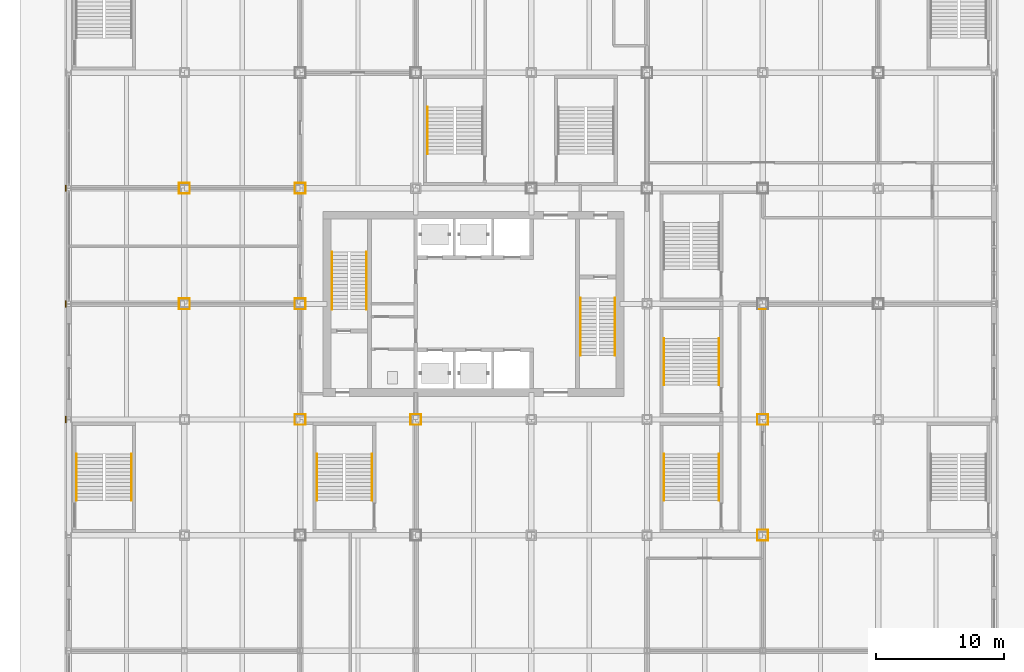
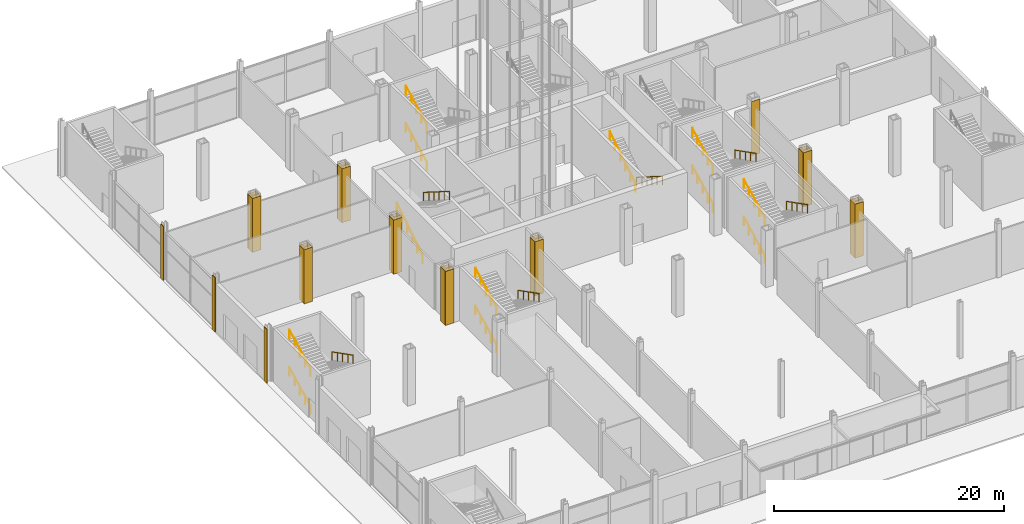
# One storey, part 29 of 34: 36 coverings, 18 railings.
"""IFC4 building model written with IfcOpenShell, lengths in metres."""

import ifcopenshell
import ifcopenshell.guid

model = None  # the IFC model being written
_history = None  # IfcOwnerHistory: only IFC2X3 demands one
_inside = {}  # id of a spatial element -> (the spatial element, [elements in it])
_under = {}  # id of a project, library or spatial element -> (it, [spatial elements below it])
_declared = {}  # id of a project -> (the project, [libraries it declares])
_typed = {}  # id of a type object -> (the type object, [elements of that type])
_made_of = {}  # id of a material, layer set ... -> (it, [elements and type objects made of it])


def new_model(schema):
    """Start an empty IFC model of exactly this schema.

    Asked for "IFC4X3", IfcOpenShell would pick the latest addendum, in which some entities
    have other attributes; the version numbers below select the first issue.
    IFC2X3 requires an IfcOwnerHistory on every rooted entity: one is made here for all.
    """
    global model, _history
    if schema == "IFC4X3":
        model = ifcopenshell.file(schema_version=(4, 3, 0, 0))
    else:
        model = ifcopenshell.file(schema=schema)
    _inside.clear()
    _under.clear()
    _declared.clear()
    _typed.clear()
    _made_of.clear()
    _history = None
    if model.schema == "IFC2X3":
        org = make("IfcOrganization", Name="unknown")
        user = make(
            "IfcPersonAndOrganization",
            ThePerson=make("IfcPerson", FamilyName="unknown"),
            TheOrganization=org,
        )
        app = make(
            "IfcApplication",
            ApplicationDeveloper=org,
            Version="unknown",
            ApplicationFullName="unknown",
            ApplicationIdentifier="unknown",
        )
        _history = make(
            "IfcOwnerHistory",
            OwningUser=user,
            OwningApplication=app,
            ChangeAction="ADDED",
            CreationDate=0,
        )
    return model


def make(cls, **values):
    """One entity of the class cls with the attributes given. An attribute that is None is left unset."""
    return model.create_entity(
        cls, **{name: value for name, value in values.items() if value is not None}
    )


def rooted(cls, **values):
    """An entity with a GlobalId (a new one), such as an element, a storey or a relation."""
    return make(cls, GlobalId=ifcopenshell.guid.new(), OwnerHistory=_history, **values)


def si_unit(unit_type, name, prefix=None):
    """IfcSIUnit, for example si_unit("LENGTHUNIT", "METRE", prefix="MILLI")."""
    return make("IfcSIUnit", UnitType=unit_type, Prefix=prefix, Name=name)


def assignment(units):
    """IfcUnitAssignment: the units of a project."""
    return None if units is None else make("IfcUnitAssignment", Units=units)


def point(xyz):
    """IfcCartesianPoint."""
    return None if xyz is None else make("IfcCartesianPoint", Coordinates=xyz)


def direction(xyz):
    """IfcDirection."""
    return None if xyz is None else make("IfcDirection", DirectionRatios=xyz)


def frame(location, z_axis=None, x_axis=None):
    """IfcAxis2Placement3D, a coordinate frame: its origin and axes. An axis left out is left unset."""
    return make(
        "IfcAxis2Placement3D",
        Location=point(location),
        Axis=direction(z_axis),
        RefDirection=direction(x_axis),
    )


def frame_2d(location, x_axis=None):
    """IfcAxis2Placement2D, a coordinate frame in the plane: its origin and x axis."""
    return make(
        "IfcAxis2Placement2D", Location=point(location), RefDirection=direction(x_axis)
    )


def origin():
    """The frame at (0, 0, 0) with its axes left unset."""
    return frame((0.0, 0.0, 0.0))


def origin_2d():
    """The frame at (0, 0) in the plane with its x axis left unset."""
    return frame_2d((0.0, 0.0))


def place(relative_to, where):
    """IfcLocalPlacement: puts the frame where relative to a parent placement (None: the world)."""
    return make(
        "IfcLocalPlacement", PlacementRelTo=relative_to, RelativePlacement=where
    )


def context(
    kind, dimensions, precision=None, world=None, true_north=None, identifier=None
):
    """IfcGeometricRepresentationContext, for example the 3D "Model" context."""
    return make(
        "IfcGeometricRepresentationContext",
        ContextIdentifier=identifier,
        ContextType=kind,
        CoordinateSpaceDimension=dimensions,
        Precision=precision,
        WorldCoordinateSystem=world,
        TrueNorth=true_north,
    )


def subcontext(parent, identifier, kind, view, scale=None):
    """IfcGeometricRepresentationSubContext, for example "Body" below "Model"."""
    return make(
        "IfcGeometricRepresentationSubContext",
        ContextIdentifier=identifier,
        ContextType=kind,
        ParentContext=parent,
        TargetScale=scale,
        TargetView=view,
    )


def project(units=None, contexts=None):
    """IfcProject with its units and contexts."""
    return rooted(
        "IfcProject",
        Name="project",
        RepresentationContexts=contexts,
        UnitsInContext=assignment(units),
    )


def spatial(cls, under=None, at=None, **own):
    """A site, building, storey or space (cls), placed at a placement, below another one or the project."""
    s = rooted(cls, ObjectPlacement=at, **own)
    if under is not None:
        _under.setdefault(under.id(), (under, []))[1].append(s)
    return s


def profile(cls, at=None, kind="AREA", **sizes):
    """A parametric profile (cls). Its sizes go by their IFC names, for example OverallWidth=200.0."""
    return make(cls, ProfileType=kind, Position=at, **sizes)


def rectangle(**sizes):
    """IfcRectangleProfileDef."""
    return profile("IfcRectangleProfileDef", **sizes)


def circle(**sizes):
    """IfcCircleProfileDef."""
    return profile("IfcCircleProfileDef", **sizes)


def extrude(swept, where, along, depth):
    """IfcExtrudedAreaSolid: the profile swept, set in the frame where, extruded along a direction by depth."""
    return make(
        "IfcExtrudedAreaSolid",
        SweptArea=swept,
        Position=where,
        ExtrudedDirection=direction(along),
        Depth=depth,
    )


def shape(context_of_items, identifier, shape_type, items):
    """IfcShapeRepresentation: the items that make up one representation, for example the "Body"."""
    return make(
        "IfcShapeRepresentation",
        ContextOfItems=context_of_items,
        RepresentationIdentifier=identifier,
        RepresentationType=shape_type,
        Items=items,
    )


def material(Name=None, Category=None):
    """IfcMaterial."""
    return make("IfcMaterial", Name=Name, Category=Category)


def layer(
    of_material, thickness, ventilated=None, Name=None, Category=None, Priority=None
):
    """IfcMaterialLayer: one layer of a wall or slab, of a material (None: an air gap)."""
    return make(
        "IfcMaterialLayer",
        Material=of_material,
        LayerThickness=thickness,
        IsVentilated=ventilated,
        Name=Name,
        Category=Category,
        Priority=Priority,
    )


def layer_set(layers, Name=None):
    """IfcMaterialLayerSet."""
    return make("IfcMaterialLayerSet", MaterialLayers=layers, LayerSetName=Name)


def made_of(thing, what):
    """Note that an element or type object is made of a material, layer set ...; save() writes the relation."""
    if what is not None:
        _made_of.setdefault(what.id(), (what, []))[1].append(thing)
    return thing


def type_object(cls, material=None, **own):
    """A type object (cls), such as IfcWallType, which elements share."""
    return made_of(rooted(cls, **own), material)


def element(
    cls,
    number,
    at=None,
    inside=None,
    cuts=None,
    type_object=None,
    material=None,
    context=None,
    identifier="Body",
    shape_type=None,
    held_by="IfcProductDefinitionShape",
    body=None,
    shapes=None,
    **own,
):
    """One element of the class cls, such as IfcWall. Its Tag is "e" and its number.

    at: its placement. inside: the storey or other place that contains it. cuts: it is an
    opening in that element (IfcRelVoidsElement). A single representation is given by context,
    identifier, shape_type and body (its items); several are given by shapes. held_by: the class
    of the entity that holds the representations. save() writes the other relations.
    """
    e = rooted(cls, Tag="e%d" % number, ObjectPlacement=at, **own)
    if body is not None:
        shapes = [shape(context, identifier, shape_type, body)]
    if shapes is not None:
        e.Representation = make(held_by, Representations=shapes)
    if inside is not None:
        _inside.setdefault(inside.id(), (inside, []))[1].append(e)
    if cuts is not None:
        rooted(
            "IfcRelVoidsElement", RelatingBuildingElement=cuts, RelatedOpeningElement=e
        )
    if type_object is not None:
        _typed.setdefault(type_object.id(), (type_object, []))[1].append(e)
    return made_of(e, material)


def aggregate(whole, parts):
    """IfcRelAggregates: a whole, such as a stair, and the parts it consists of."""
    return rooted("IfcRelAggregates", RelatingObject=whole, RelatedObjects=parts)


def save(model, path):
    """Write the relations noted so far, then the file.

    IfcRelAggregates (storeys below a building ...), IfcRelContainedInSpatialStructure (elements
    in a storey), IfcRelDefinesByType, IfcRelAssociatesMaterial and IfcRelDeclares: one each for
    every whole, place, type object, material and project.
    """
    for whole, parts in _under.values():
        aggregate(whole, parts)
    for where, things in _inside.values():
        rooted(
            "IfcRelContainedInSpatialStructure",
            RelatedElements=things,
            RelatingStructure=where,
        )
    for kind, things in _typed.values():
        rooted("IfcRelDefinesByType", RelatedObjects=things, RelatingType=kind)
    for what, things in _made_of.values():
        rooted("IfcRelAssociatesMaterial", RelatedObjects=things, RelatingMaterial=what)
    for by, libraries in _declared.values():
        rooted("IfcRelDeclares", RelatingContext=by, RelatedDefinitions=libraries)
    model.write(path)


model = new_model("IFC4")

# Units and contexts
model_context = context("Model", 3, precision=1e-05, world=origin(), true_north=direction((0.0, 1.0)))
body_context = subcontext(model_context, "Body", "Model", "MODEL_VIEW")
ifc_project = project(units=[si_unit("LENGTHUNIT", "METRE"), si_unit("AREAUNIT", "SQUARE_METRE"), si_unit("VOLUMEUNIT", "CUBIC_METRE"), si_unit("PLANEANGLEUNIT", "RADIAN"), si_unit("MASSUNIT", "GRAM", prefix="KILO")], contexts=[model_context])

# Site, building, storey
site_placement = place(None, origin())
site = spatial("IfcSite", under=ifc_project, at=site_placement, CompositionType="ELEMENT")
building_placement = place(site_placement, origin())
building = spatial("IfcBuilding", under=site, at=building_placement, Name="Loomwork Tower", CompositionType="ELEMENT")
storey_placement = place(building_placement, origin())
storey = spatial("IfcBuildingStorey", under=building, at=storey_placement, Name="L00", CompositionType="ELEMENT", Elevation=0.0)

# Coverings
ifc_material_1 = material(Name="Two-hour fire-rated gypsum board casing")
ifc_layer_1 = layer(ifc_material_1, 0.02490234375)
ifc_layer_set_1 = layer_set([ifc_layer_1], Name="Column fire casing 25")
covering_type_1 = type_object("IfcCoveringType", Name="Column fire casing 25", PredefinedType="CLADDING", material=ifc_layer_set_1)
for number, where, z_axis, x_axis, name in (
    (1, (0.0, 18.41259765625, 0.0), (0.0, 0.0, 1.0), (1.0, 0.0, 0.0), "Column casing 0 18 L00"),
    (2, (0.0, 17.58740234375, 0.0), (0.0, 0.0, 1.0), (1.0, 0.0, 0.0), "Column casing 0 18 L00"),
):
    element("IfcCovering", number, at=place(storey_placement, frame(where, z_axis=z_axis, x_axis=x_axis)), inside=storey, type_object=covering_type_1, Name=name, PredefinedType="CLADDING", context=body_context, shape_type="SweptSolid", body=[
        extrude(rectangle(XDim=0.85009765625, YDim=0.02490234375, at=origin_2d()), origin(), (0.0, 0.0, 1.0), 5.75),
    ])
for number, where, z_axis, x_axis, name in (
    (3, (0.41259765625, 18.0, 0.0), (0.0, 0.0, 1.0), (1.0, 0.0, 0.0), "Column casing 0 18 L00"),
    (4, (-0.41259765625, 18.0, 0.0), (0.0, 0.0, 1.0), (1.0, 0.0, 0.0), "Column casing 0 18 L00"),
):
    element("IfcCovering", number, at=place(storey_placement, frame(where, z_axis=z_axis, x_axis=x_axis)), inside=storey, type_object=covering_type_1, Name=name, PredefinedType="CLADDING", context=body_context, shape_type="SweptSolid", body=[
        extrude(rectangle(XDim=0.02490234375, YDim=0.800048828125, at=origin_2d()), origin(), (0.0, 0.0, 1.0), 5.75),
    ])
for number, where, z_axis, x_axis, name in (
    (5, (0.0, 27.41259765625, 0.0), (0.0, 0.0, 1.0), (1.0, 0.0, 0.0), "Column casing 0 27 L00"),
    (6, (0.0, 26.58740234375, 0.0), (0.0, 0.0, 1.0), (1.0, 0.0, 0.0), "Column casing 0 27 L00"),
):
    element("IfcCovering", number, at=place(storey_placement, frame(where, z_axis=z_axis, x_axis=x_axis)), inside=storey, type_object=covering_type_1, Name=name, PredefinedType="CLADDING", context=body_context, shape_type="SweptSolid", body=[
        extrude(rectangle(XDim=0.85009765625, YDim=0.02490234375, at=origin_2d()), origin(), (0.0, 0.0, 1.0), 5.75),
    ])
for number, where, z_axis, x_axis, name in (
    (7, (0.41259765625, 27.0, 0.0), (0.0, 0.0, 1.0), (1.0, 0.0, 0.0), "Column casing 0 27 L00"),
    (8, (-0.41259765625, 27.0, 0.0), (0.0, 0.0, 1.0), (1.0, 0.0, 0.0), "Column casing 0 27 L00"),
):
    element("IfcCovering", number, at=place(storey_placement, frame(where, z_axis=z_axis, x_axis=x_axis)), inside=storey, type_object=covering_type_1, Name=name, PredefinedType="CLADDING", context=body_context, shape_type="SweptSolid", body=[
        extrude(rectangle(XDim=0.02490234375, YDim=0.800048828125, at=origin_2d()), origin(), (0.0, 0.0, 1.0), 5.75),
    ])
for number, where, z_axis, x_axis, name in (
    (9, (9.0, 9.41259765625, 0.0), (0.0, 0.0, 1.0), (1.0, 0.0, 0.0), "Column casing 9 9 L00"),
    (10, (9.0, 8.58740234375, 0.0), (0.0, 0.0, 1.0), (1.0, 0.0, 0.0), "Column casing 9 9 L00"),
):
    element("IfcCovering", number, at=place(storey_placement, frame(where, z_axis=z_axis, x_axis=x_axis)), inside=storey, type_object=covering_type_1, Name=name, PredefinedType="CLADDING", context=body_context, shape_type="SweptSolid", body=[
        extrude(rectangle(XDim=0.85009765625, YDim=0.02490234375, at=origin_2d()), origin(), (0.0, 0.0, 1.0), 5.75),
    ])
for number, where, z_axis, x_axis, name in (
    (11, (9.41259765625, 9.0, 0.0), (0.0, 0.0, 1.0), (1.0, 0.0, 0.0), "Column casing 9 9 L00"),
    (12, (8.58740234375, 9.0, 0.0), (0.0, 0.0, 1.0), (1.0, 0.0, 0.0), "Column casing 9 9 L00"),
):
    element("IfcCovering", number, at=place(storey_placement, frame(where, z_axis=z_axis, x_axis=x_axis)), inside=storey, type_object=covering_type_1, Name=name, PredefinedType="CLADDING", context=body_context, shape_type="SweptSolid", body=[
        extrude(rectangle(XDim=0.02490234375, YDim=0.800048828125, at=origin_2d()), origin(), (0.0, 0.0, 1.0), 5.75),
    ])
for number, where, z_axis, x_axis, name in (
    (13, (9.0, 18.41259765625, 0.0), (0.0, 0.0, 1.0), (1.0, 0.0, 0.0), "Column casing 9 18 L00"),
    (14, (9.0, 17.58740234375, 0.0), (0.0, 0.0, 1.0), (1.0, 0.0, 0.0), "Column casing 9 18 L00"),
):
    element("IfcCovering", number, at=place(storey_placement, frame(where, z_axis=z_axis, x_axis=x_axis)), inside=storey, type_object=covering_type_1, Name=name, PredefinedType="CLADDING", context=body_context, shape_type="SweptSolid", body=[
        extrude(rectangle(XDim=0.85009765625, YDim=0.02490234375, at=origin_2d()), origin(), (0.0, 0.0, 1.0), 5.75),
    ])
for number, where, z_axis, x_axis, name in (
    (15, (9.41259765625, 18.0, 0.0), (0.0, 0.0, 1.0), (1.0, 0.0, 0.0), "Column casing 9 18 L00"),
    (16, (8.58740234375, 18.0, 0.0), (0.0, 0.0, 1.0), (1.0, 0.0, 0.0), "Column casing 9 18 L00"),
):
    element("IfcCovering", number, at=place(storey_placement, frame(where, z_axis=z_axis, x_axis=x_axis)), inside=storey, type_object=covering_type_1, Name=name, PredefinedType="CLADDING", context=body_context, shape_type="SweptSolid", body=[
        extrude(rectangle(XDim=0.02490234375, YDim=0.800048828125, at=origin_2d()), origin(), (0.0, 0.0, 1.0), 5.75),
    ])
for number, where, z_axis, x_axis, name in (
    (17, (9.0, 27.41259765625, 0.0), (0.0, 0.0, 1.0), (1.0, 0.0, 0.0), "Column casing 9 27 L00"),
    (18, (9.0, 26.58740234375, 0.0), (0.0, 0.0, 1.0), (1.0, 0.0, 0.0), "Column casing 9 27 L00"),
):
    element("IfcCovering", number, at=place(storey_placement, frame(where, z_axis=z_axis, x_axis=x_axis)), inside=storey, type_object=covering_type_1, Name=name, PredefinedType="CLADDING", context=body_context, shape_type="SweptSolid", body=[
        extrude(rectangle(XDim=0.85009765625, YDim=0.02490234375, at=origin_2d()), origin(), (0.0, 0.0, 1.0), 5.75),
    ])
for number, where, z_axis, x_axis, name in (
    (19, (9.41259765625, 27.0, 0.0), (0.0, 0.0, 1.0), (1.0, 0.0, 0.0), "Column casing 9 27 L00"),
    (20, (8.58740234375, 27.0, 0.0), (0.0, 0.0, 1.0), (1.0, 0.0, 0.0), "Column casing 9 27 L00"),
):
    element("IfcCovering", number, at=place(storey_placement, frame(where, z_axis=z_axis, x_axis=x_axis)), inside=storey, type_object=covering_type_1, Name=name, PredefinedType="CLADDING", context=body_context, shape_type="SweptSolid", body=[
        extrude(rectangle(XDim=0.02490234375, YDim=0.800048828125, at=origin_2d()), origin(), (0.0, 0.0, 1.0), 5.75),
    ])
for number, where, z_axis, x_axis, name in (
    (21, (18.0, 9.41259765625, 0.0), (0.0, 0.0, 1.0), (1.0, 0.0, 0.0), "Column casing 18 9 L00"),
    (22, (18.0, 8.58740234375, 0.0), (0.0, 0.0, 1.0), (1.0, 0.0, 0.0), "Column casing 18 9 L00"),
):
    element("IfcCovering", number, at=place(storey_placement, frame(where, z_axis=z_axis, x_axis=x_axis)), inside=storey, type_object=covering_type_1, Name=name, PredefinedType="CLADDING", context=body_context, shape_type="SweptSolid", body=[
        extrude(rectangle(XDim=0.85009765625, YDim=0.02490234375, at=origin_2d()), origin(), (0.0, 0.0, 1.0), 5.75),
    ])
for number, where, z_axis, x_axis, name in (
    (23, (18.41259765625, 9.0, 0.0), (0.0, 0.0, 1.0), (1.0, 0.0, 0.0), "Column casing 18 9 L00"),
    (24, (17.58740234375, 9.0, 0.0), (0.0, 0.0, 1.0), (1.0, 0.0, 0.0), "Column casing 18 9 L00"),
):
    element("IfcCovering", number, at=place(storey_placement, frame(where, z_axis=z_axis, x_axis=x_axis)), inside=storey, type_object=covering_type_1, Name=name, PredefinedType="CLADDING", context=body_context, shape_type="SweptSolid", body=[
        extrude(rectangle(XDim=0.02490234375, YDim=0.800048828125, at=origin_2d()), origin(), (0.0, 0.0, 1.0), 5.75),
    ])
for number, where, z_axis, x_axis, name in (
    (25, (45.0, 0.41259765625, 0.0), (0.0, 0.0, 1.0), (1.0, 0.0, 0.0), "Column casing 45 0 L00"),
    (26, (45.0, -0.41259765625, 0.0), (0.0, 0.0, 1.0), (1.0, 0.0, 0.0), "Column casing 45 0 L00"),
):
    element("IfcCovering", number, at=place(storey_placement, frame(where, z_axis=z_axis, x_axis=x_axis)), inside=storey, type_object=covering_type_1, Name=name, PredefinedType="CLADDING", context=body_context, shape_type="SweptSolid", body=[
        extrude(rectangle(XDim=0.85009765625, YDim=0.02490234375, at=origin_2d()), origin(), (0.0, 0.0, 1.0), 5.75),
    ])
for number, where, z_axis, x_axis, name in (
    (27, (45.41259765625, 0.0, 0.0), (0.0, 0.0, 1.0), (1.0, 0.0, 0.0), "Column casing 45 0 L00"),
    (28, (44.58740234375, 0.0, 0.0), (0.0, 0.0, 1.0), (1.0, 0.0, 0.0), "Column casing 45 0 L00"),
):
    element("IfcCovering", number, at=place(storey_placement, frame(where, z_axis=z_axis, x_axis=x_axis)), inside=storey, type_object=covering_type_1, Name=name, PredefinedType="CLADDING", context=body_context, shape_type="SweptSolid", body=[
        extrude(rectangle(XDim=0.02490234375, YDim=0.800048828125, at=origin_2d()), origin(), (0.0, 0.0, 1.0), 5.75),
    ])
for number, where, z_axis, x_axis, name in (
    (29, (45.0, 9.41259765625, 0.0), (0.0, 0.0, 1.0), (1.0, 0.0, 0.0), "Column casing 45 9 L00"),
    (30, (45.0, 8.58740234375, 0.0), (0.0, 0.0, 1.0), (1.0, 0.0, 0.0), "Column casing 45 9 L00"),
):
    element("IfcCovering", number, at=place(storey_placement, frame(where, z_axis=z_axis, x_axis=x_axis)), inside=storey, type_object=covering_type_1, Name=name, PredefinedType="CLADDING", context=body_context, shape_type="SweptSolid", body=[
        extrude(rectangle(XDim=0.85009765625, YDim=0.02490234375, at=origin_2d()), origin(), (0.0, 0.0, 1.0), 5.75),
    ])
for number, where, z_axis, x_axis, name in (
    (31, (45.41259765625, 9.0, 0.0), (0.0, 0.0, 1.0), (1.0, 0.0, 0.0), "Column casing 45 9 L00"),
    (32, (44.58740234375, 9.0, 0.0), (0.0, 0.0, 1.0), (1.0, 0.0, 0.0), "Column casing 45 9 L00"),
):
    element("IfcCovering", number, at=place(storey_placement, frame(where, z_axis=z_axis, x_axis=x_axis)), inside=storey, type_object=covering_type_1, Name=name, PredefinedType="CLADDING", context=body_context, shape_type="SweptSolid", body=[
        extrude(rectangle(XDim=0.02490234375, YDim=0.800048828125, at=origin_2d()), origin(), (0.0, 0.0, 1.0), 5.75),
    ])
covering_placement = place(storey_placement, frame((45.0, 17.58740234375, 0.0), z_axis=(0.0, 0.0, 1.0), x_axis=(1.0, 0.0, 0.0)))
element("IfcCovering", 33, at=covering_placement, inside=storey, type_object=covering_type_1, Name="Column casing 45 18 L00", PredefinedType="CLADDING", context=body_context, shape_type="SweptSolid", body=[
    extrude(rectangle(XDim=0.85009765625, YDim=0.02490234375, at=origin_2d()), origin(), (0.0, 0.0, 1.0), 5.75),
])

# Railings
ifc_material_2 = material(Name="Stainless steel handrail", Category="steel")
railing_type = type_object("IfcRailingType", Name="Handrail 900", PredefinedType="HANDRAIL", material=ifc_material_2)
railing_1_placement = place(storey_placement, frame((11.485107421875, 17.550048828125, 0.176513671875)))
element("IfcRailing", 34, at=railing_1_placement, inside=storey, type_object=railing_type, Name="Stair A handrail flight 1 L00", PredefinedType="HANDRAIL", context=body_context, shape_type="SweptSolid", body=[
    extrude(circle(Radius=0.02392578125, at=origin_2d()), frame((0.0, 0.0, 0.8759765625), z_axis=(0.0, 0.845997938375, 0.533186166611), x_axis=(-1.0, 0.0, 0.0)), (0.0, 0.0, 1.0), 5.29541015625),
    extrude(circle(Radius=0.02099609375, at=origin_2d()), origin(), (0.0, 0.0, 1.0), 0.851806640625),
    extrude(circle(Radius=0.02099609375, at=origin_2d()), frame((0.0, 0.89599609375, 0.564697265625)), (0.0, 0.0, 1.0), 0.851806640625),
    extrude(circle(Radius=0.02099609375, at=origin_2d()), frame((0.0, 1.7919921875, 1.12939453125)), (0.0, 0.0, 1.0), 0.851806640625),
    extrude(circle(Radius=0.02099609375, at=origin_2d()), frame((0.0, 2.68798828125, 1.694091796875)), (0.0, 0.0, 1.0), 0.851806640625),
    extrude(circle(Radius=0.02099609375, at=origin_2d()), frame((0.0, 3.583984375, 2.2587890625)), (0.0, 0.0, 1.0), 0.851806640625),
    extrude(circle(Radius=0.02099609375, at=origin_2d()), frame((0.0, 4.47998046875, 2.823486328125)), (0.0, 0.0, 1.0), 0.851806640625),
])
for number, where, name in (
    (35, (14.1650390625, 22.030029296875, 3.176513671875), "Stair A handrail flight 2 L00"),
    (36, (33.514892578125, 18.449951171875, 0.176513671875), "Stair B handrail flight 1 L00"),
):
    element("IfcRailing", number, at=place(storey_placement, frame(where)), inside=storey, type_object=railing_type, Name=name, PredefinedType="HANDRAIL", context=body_context, shape_type="SweptSolid", body=[
        extrude(circle(Radius=0.02392578125, at=origin_2d()), frame((0.0, 0.0, 0.8759765625), z_axis=(0.0, -0.845997938375, 0.533186166611), x_axis=(1.0, 0.0, 0.0)), (0.0, 0.0, 1.0), 5.29541015625),
        extrude(circle(Radius=0.02099609375, at=origin_2d()), origin(), (0.0, 0.0, 1.0), 0.851806640625),
        extrude(circle(Radius=0.02099609375, at=origin_2d()), frame((0.0, -0.89599609375, 0.564697265625)), (0.0, 0.0, 1.0), 0.851806640625),
        extrude(circle(Radius=0.02099609375, at=origin_2d()), frame((0.0, -1.7919921875, 1.12939453125)), (0.0, 0.0, 1.0), 0.851806640625),
        extrude(circle(Radius=0.02099609375, at=origin_2d()), frame((0.0, -2.68798828125, 1.694091796875)), (0.0, 0.0, 1.0), 0.851806640625),
        extrude(circle(Radius=0.02099609375, at=origin_2d()), frame((0.0, -3.583984375, 2.2587890625)), (0.0, 0.0, 1.0), 0.851806640625),
        extrude(circle(Radius=0.02099609375, at=origin_2d()), frame((0.0, -4.47998046875, 2.823486328125)), (0.0, 0.0, 1.0), 0.851806640625),
    ])
railing_2_placement = place(storey_placement, frame((30.8349609375, 13.969970703125, 3.176513671875)))
element("IfcRailing", 37, at=railing_2_placement, inside=storey, type_object=railing_type, Name="Stair B handrail flight 2 L00", PredefinedType="HANDRAIL", context=body_context, shape_type="SweptSolid", body=[
    extrude(circle(Radius=0.02392578125, at=origin_2d()), frame((0.0, 0.0, 0.8759765625), z_axis=(0.0, 0.845997938375, 0.533186166611), x_axis=(-1.0, 0.0, 0.0)), (0.0, 0.0, 1.0), 5.29541015625),
    extrude(circle(Radius=0.02099609375, at=origin_2d()), origin(), (0.0, 0.0, 1.0), 0.851806640625),
    extrude(circle(Radius=0.02099609375, at=origin_2d()), frame((0.0, 0.89599609375, 0.564697265625)), (0.0, 0.0, 1.0), 0.851806640625),
    extrude(circle(Radius=0.02099609375, at=origin_2d()), frame((0.0, 1.7919921875, 1.12939453125)), (0.0, 0.0, 1.0), 0.851806640625),
    extrude(circle(Radius=0.02099609375, at=origin_2d()), frame((0.0, 2.68798828125, 1.694091796875)), (0.0, 0.0, 1.0), 0.851806640625),
    extrude(circle(Radius=0.02099609375, at=origin_2d()), frame((0.0, 3.583984375, 2.2587890625)), (0.0, 0.0, 1.0), 0.851806640625),
    extrude(circle(Radius=0.02099609375, at=origin_2d()), frame((0.0, 4.47998046875, 2.823486328125)), (0.0, 0.0, 1.0), 0.851806640625),
])
railing_3_placement = place(storey_placement, frame((-8.389892578125, 2.679931640625, 0.142822265625)))
element("IfcRailing", 38, at=railing_3_placement, inside=storey, type_object=railing_type, Name="Podium stair PS5 handrail flight 1 L00", PredefinedType="HANDRAIL", context=body_context, shape_type="SweptSolid", body=[
    extrude(circle(Radius=0.02392578125, at=origin_2d()), frame((0.0, 0.0, 0.8759765625), z_axis=(0.0, 0.890765324736, 0.45446356977), x_axis=(-1.0, 0.0, 0.0)), (0.0, 0.0, 1.0), 4.08642578125),
    extrude(circle(Radius=0.02099609375, at=origin_2d()), origin(), (0.0, 0.0, 1.0), 0.851806640625),
    extrude(circle(Radius=0.02099609375, at=origin_2d()), frame((0.0, 0.91015625, 0.46435546875)), (0.0, 0.0, 1.0), 0.851806640625),
    extrude(circle(Radius=0.02099609375, at=origin_2d()), frame((0.0, 1.820068359375, 0.9287109375)), (0.0, 0.0, 1.0), 0.851806640625),
    extrude(circle(Radius=0.02099609375, at=origin_2d()), frame((0.0, 2.72998046875, 1.392822265625)), (0.0, 0.0, 1.0), 0.851806640625),
    extrude(circle(Radius=0.02099609375, at=origin_2d()), frame((0.0, 3.64013671875, 1.857177734375)), (0.0, 0.0, 1.0), 0.851806640625),
])
railing_4_placement = place(storey_placement, frame((-4.110107421875, 6.320068359375, 2.142822265625)))
element("IfcRailing", 39, at=railing_4_placement, inside=storey, type_object=railing_type, Name="Podium stair PS5 handrail flight 2 L00", PredefinedType="HANDRAIL", context=body_context, shape_type="SweptSolid", body=[
    extrude(circle(Radius=0.02392578125, at=origin_2d()), frame((0.0, 0.0, 0.8759765625), z_axis=(0.0, -0.890765324736, 0.45446356977), x_axis=(1.0, 0.0, 0.0)), (0.0, 0.0, 1.0), 4.08642578125),
    extrude(circle(Radius=0.02099609375, at=origin_2d()), origin(), (0.0, 0.0, 1.0), 0.851806640625),
    extrude(circle(Radius=0.02099609375, at=origin_2d()), frame((0.0, -0.91015625, 0.46435546875)), (0.0, 0.0, 1.0), 0.851806640625),
    extrude(circle(Radius=0.02099609375, at=origin_2d()), frame((0.0, -1.820068359375, 0.9287109375)), (0.0, 0.0, 1.0), 0.851806640625),
    extrude(circle(Radius=0.02099609375, at=origin_2d()), frame((0.0, -2.72998046875, 1.392822265625)), (0.0, 0.0, 1.0), 0.851806640625),
    extrude(circle(Radius=0.02099609375, at=origin_2d()), frame((0.0, -3.64013671875, 1.857177734375)), (0.0, 0.0, 1.0), 0.851806640625),
])
for number, where, name in (
    (40, (-8.389892578125, 2.679931640625, 4.142822265625), "Podium stair PS5 handrail flight 3 L00"),
    (41, (37.31005859375, 2.679931640625, 0.142822265625), "Podium stair PS7 handrail flight 1 L00"),
):
    element("IfcRailing", number, at=place(storey_placement, frame(where)), inside=storey, type_object=railing_type, Name=name, PredefinedType="HANDRAIL", context=body_context, shape_type="SweptSolid", body=[
        extrude(circle(Radius=0.02392578125, at=origin_2d()), frame((0.0, 0.0, 0.8759765625), z_axis=(0.0, 0.890765324736, 0.45446356977), x_axis=(-1.0, 0.0, 0.0)), (0.0, 0.0, 1.0), 4.08642578125),
        extrude(circle(Radius=0.02099609375, at=origin_2d()), origin(), (0.0, 0.0, 1.0), 0.851806640625),
        extrude(circle(Radius=0.02099609375, at=origin_2d()), frame((0.0, 0.91015625, 0.46435546875)), (0.0, 0.0, 1.0), 0.851806640625),
        extrude(circle(Radius=0.02099609375, at=origin_2d()), frame((0.0, 1.820068359375, 0.9287109375)), (0.0, 0.0, 1.0), 0.851806640625),
        extrude(circle(Radius=0.02099609375, at=origin_2d()), frame((0.0, 2.72998046875, 1.392822265625)), (0.0, 0.0, 1.0), 0.851806640625),
        extrude(circle(Radius=0.02099609375, at=origin_2d()), frame((0.0, 3.64013671875, 1.857177734375)), (0.0, 0.0, 1.0), 0.851806640625),
    ])
railing_5_placement = place(storey_placement, frame((41.590087890625, 6.320068359375, 2.142822265625)))
element("IfcRailing", 42, at=railing_5_placement, inside=storey, type_object=railing_type, Name="Podium stair PS7 handrail flight 2 L00", PredefinedType="HANDRAIL", context=body_context, shape_type="SweptSolid", body=[
    extrude(circle(Radius=0.02392578125, at=origin_2d()), frame((0.0, 0.0, 0.8759765625), z_axis=(0.0, -0.890765324736, 0.45446356977), x_axis=(1.0, 0.0, 0.0)), (0.0, 0.0, 1.0), 4.08642578125),
    extrude(circle(Radius=0.02099609375, at=origin_2d()), origin(), (0.0, 0.0, 1.0), 0.851806640625),
    extrude(circle(Radius=0.02099609375, at=origin_2d()), frame((0.0, -0.91015625, 0.46435546875)), (0.0, 0.0, 1.0), 0.851806640625),
    extrude(circle(Radius=0.02099609375, at=origin_2d()), frame((0.0, -1.820068359375, 0.9287109375)), (0.0, 0.0, 1.0), 0.851806640625),
    extrude(circle(Radius=0.02099609375, at=origin_2d()), frame((0.0, -2.72998046875, 1.392822265625)), (0.0, 0.0, 1.0), 0.851806640625),
    extrude(circle(Radius=0.02099609375, at=origin_2d()), frame((0.0, -3.64013671875, 1.857177734375)), (0.0, 0.0, 1.0), 0.851806640625),
])
for number, where, name in (
    (43, (37.31005859375, 2.679931640625, 4.142822265625), "Podium stair PS7 handrail flight 3 L00"),
    (44, (37.31005859375, 11.679931640625, 0.142822265625), "Podium stair PS8 handrail flight 1 L00"),
):
    element("IfcRailing", number, at=place(storey_placement, frame(where)), inside=storey, type_object=railing_type, Name=name, PredefinedType="HANDRAIL", context=body_context, shape_type="SweptSolid", body=[
        extrude(circle(Radius=0.02392578125, at=origin_2d()), frame((0.0, 0.0, 0.8759765625), z_axis=(0.0, 0.890765324736, 0.45446356977), x_axis=(-1.0, 0.0, 0.0)), (0.0, 0.0, 1.0), 4.08642578125),
        extrude(circle(Radius=0.02099609375, at=origin_2d()), origin(), (0.0, 0.0, 1.0), 0.851806640625),
        extrude(circle(Radius=0.02099609375, at=origin_2d()), frame((0.0, 0.91015625, 0.46435546875)), (0.0, 0.0, 1.0), 0.851806640625),
        extrude(circle(Radius=0.02099609375, at=origin_2d()), frame((0.0, 1.820068359375, 0.9287109375)), (0.0, 0.0, 1.0), 0.851806640625),
        extrude(circle(Radius=0.02099609375, at=origin_2d()), frame((0.0, 2.72998046875, 1.392822265625)), (0.0, 0.0, 1.0), 0.851806640625),
        extrude(circle(Radius=0.02099609375, at=origin_2d()), frame((0.0, 3.64013671875, 1.857177734375)), (0.0, 0.0, 1.0), 0.851806640625),
    ])
railing_6_placement = place(storey_placement, frame((41.590087890625, 15.320068359375, 2.142822265625)))
element("IfcRailing", 45, at=railing_6_placement, inside=storey, type_object=railing_type, Name="Podium stair PS8 handrail flight 2 L00", PredefinedType="HANDRAIL", context=body_context, shape_type="SweptSolid", body=[
    extrude(circle(Radius=0.02392578125, at=origin_2d()), frame((0.0, 0.0, 0.8759765625), z_axis=(0.0, -0.890765324736, 0.45446356977), x_axis=(1.0, 0.0, 0.0)), (0.0, 0.0, 1.0), 4.08642578125),
    extrude(circle(Radius=0.02099609375, at=origin_2d()), origin(), (0.0, 0.0, 1.0), 0.851806640625),
    extrude(circle(Radius=0.02099609375, at=origin_2d()), frame((0.0, -0.91015625, 0.46435546875)), (0.0, 0.0, 1.0), 0.851806640625),
    extrude(circle(Radius=0.02099609375, at=origin_2d()), frame((0.0, -1.820068359375, 0.9287109375)), (0.0, 0.0, 1.0), 0.851806640625),
    extrude(circle(Radius=0.02099609375, at=origin_2d()), frame((0.0, -2.72998046875, 1.392822265625)), (0.0, 0.0, 1.0), 0.851806640625),
    extrude(circle(Radius=0.02099609375, at=origin_2d()), frame((0.0, -3.64013671875, 1.857177734375)), (0.0, 0.0, 1.0), 0.851806640625),
])
for number, where, name in (
    (46, (37.31005859375, 11.679931640625, 4.142822265625), "Podium stair PS8 handrail flight 3 L00"),
    (47, (18.909912109375, 29.679931640625, 0.142822265625), "Podium stair PS10 handrail flight 1 L00"),
    (48, (18.909912109375, 29.679931640625, 4.142822265625), "Podium stair PS10 handrail flight 3 L00"),
    (49, (10.31005859375, 2.679931640625, 0.142822265625), "Podium stair PS12 handrail flight 1 L00"),
):
    element("IfcRailing", number, at=place(storey_placement, frame(where)), inside=storey, type_object=railing_type, Name=name, PredefinedType="HANDRAIL", context=body_context, shape_type="SweptSolid", body=[
        extrude(circle(Radius=0.02392578125, at=origin_2d()), frame((0.0, 0.0, 0.8759765625), z_axis=(0.0, 0.890765324736, 0.45446356977), x_axis=(-1.0, 0.0, 0.0)), (0.0, 0.0, 1.0), 4.08642578125),
        extrude(circle(Radius=0.02099609375, at=origin_2d()), origin(), (0.0, 0.0, 1.0), 0.851806640625),
        extrude(circle(Radius=0.02099609375, at=origin_2d()), frame((0.0, 0.91015625, 0.46435546875)), (0.0, 0.0, 1.0), 0.851806640625),
        extrude(circle(Radius=0.02099609375, at=origin_2d()), frame((0.0, 1.820068359375, 0.9287109375)), (0.0, 0.0, 1.0), 0.851806640625),
        extrude(circle(Radius=0.02099609375, at=origin_2d()), frame((0.0, 2.72998046875, 1.392822265625)), (0.0, 0.0, 1.0), 0.851806640625),
        extrude(circle(Radius=0.02099609375, at=origin_2d()), frame((0.0, 3.64013671875, 1.857177734375)), (0.0, 0.0, 1.0), 0.851806640625),
    ])
railing_7_placement = place(storey_placement, frame((14.590087890625, 6.320068359375, 2.142822265625)))
element("IfcRailing", 50, at=railing_7_placement, inside=storey, type_object=railing_type, Name="Podium stair PS12 handrail flight 2 L00", PredefinedType="HANDRAIL", context=body_context, shape_type="SweptSolid", body=[
    extrude(circle(Radius=0.02392578125, at=origin_2d()), frame((0.0, 0.0, 0.8759765625), z_axis=(0.0, -0.890765324736, 0.45446356977), x_axis=(1.0, 0.0, 0.0)), (0.0, 0.0, 1.0), 4.08642578125),
    extrude(circle(Radius=0.02099609375, at=origin_2d()), origin(), (0.0, 0.0, 1.0), 0.851806640625),
    extrude(circle(Radius=0.02099609375, at=origin_2d()), frame((0.0, -0.91015625, 0.46435546875)), (0.0, 0.0, 1.0), 0.851806640625),
    extrude(circle(Radius=0.02099609375, at=origin_2d()), frame((0.0, -1.820068359375, 0.9287109375)), (0.0, 0.0, 1.0), 0.851806640625),
    extrude(circle(Radius=0.02099609375, at=origin_2d()), frame((0.0, -2.72998046875, 1.392822265625)), (0.0, 0.0, 1.0), 0.851806640625),
    extrude(circle(Radius=0.02099609375, at=origin_2d()), frame((0.0, -3.64013671875, 1.857177734375)), (0.0, 0.0, 1.0), 0.851806640625),
])
railing_8_placement = place(storey_placement, frame((10.31005859375, 2.679931640625, 4.142822265625)))
element("IfcRailing", 51, at=railing_8_placement, inside=storey, type_object=railing_type, Name="Podium stair PS12 handrail flight 3 L00", PredefinedType="HANDRAIL", context=body_context, shape_type="SweptSolid", body=[
    extrude(circle(Radius=0.02392578125, at=origin_2d()), frame((0.0, 0.0, 0.8759765625), z_axis=(0.0, 0.890765324736, 0.45446356977), x_axis=(-1.0, 0.0, 0.0)), (0.0, 0.0, 1.0), 4.08642578125),
    extrude(circle(Radius=0.02099609375, at=origin_2d()), origin(), (0.0, 0.0, 1.0), 0.851806640625),
    extrude(circle(Radius=0.02099609375, at=origin_2d()), frame((0.0, 0.91015625, 0.46435546875)), (0.0, 0.0, 1.0), 0.851806640625),
    extrude(circle(Radius=0.02099609375, at=origin_2d()), frame((0.0, 1.820068359375, 0.9287109375)), (0.0, 0.0, 1.0), 0.851806640625),
    extrude(circle(Radius=0.02099609375, at=origin_2d()), frame((0.0, 2.72998046875, 1.392822265625)), (0.0, 0.0, 1.0), 0.851806640625),
    extrude(circle(Radius=0.02099609375, at=origin_2d()), frame((0.0, 3.64013671875, 1.857177734375)), (0.0, 0.0, 1.0), 0.851806640625),
])

# Coverings
ifc_material_3 = material(Name="Limestone", Category="masonry")
ifc_layer_2 = layer(ifc_material_3, 0.080078125)
ifc_layer_set_2 = layer_set([ifc_layer_2], Name="Limestone pier facing 80")
covering_type_2 = type_object("IfcCoveringType", Name="Limestone pier facing 80", PredefinedType="CLADDING", material=ifc_layer_set_2)
for number, where, z_axis, x_axis, name in (
    (52, (-9.239501953125, 9.0, 0.0), (0.0, 0.0, 1.0), (1.0, 0.0, 0.0), "Pier facing E/1 L00"),
    (53, (-9.239501953125, 18.0, 0.0), (0.0, 0.0, 1.0), (1.0, 0.0, 0.0), "Pier facing F/1 L00"),
    (54, (-9.239501953125, 27.0, 0.0), (0.0, 0.0, 1.0), (1.0, 0.0, 0.0), "Pier facing G/1 L00"),
):
    element("IfcCovering", number, at=place(storey_placement, frame(where, z_axis=z_axis, x_axis=x_axis)), inside=storey, type_object=covering_type_2, Name=name, PredefinedType="CLADDING", context=body_context, shape_type="SweptSolid", body=[
        extrude(rectangle(XDim=0.080078125, YDim=0.501220703125, at=origin_2d()), origin(), (0.0, 0.0, 1.0), 5.75),
    ])

save(model, "model.ifc")
